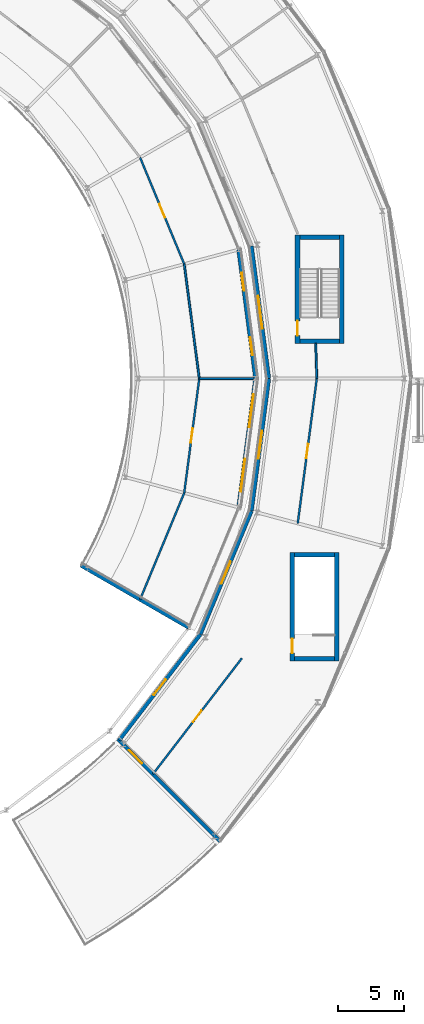
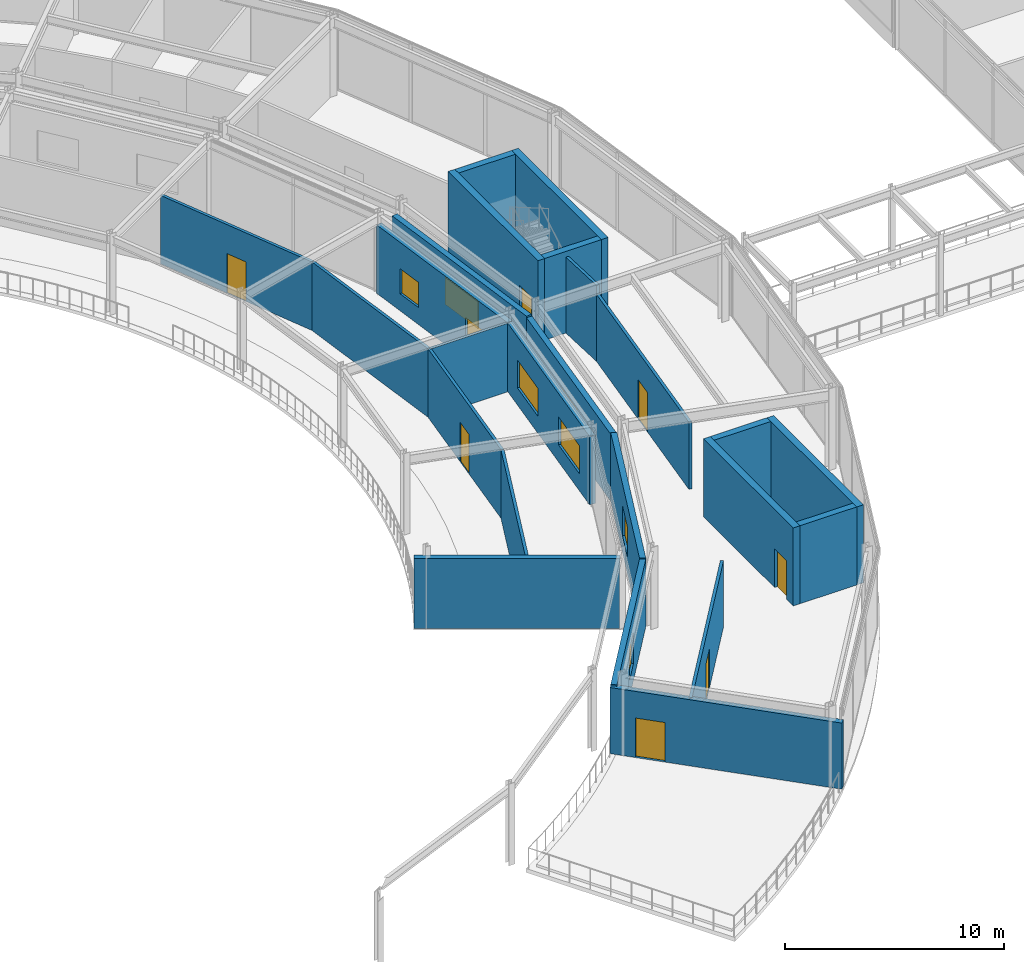
# One storey, part 119 of 157: 24 walls, 8 windows, 7 doors, 15 openings.
"""IFC4 building model written with IfcOpenShell, lengths in metres."""

from ifc_helpers import new_model, si_unit, direction, frame, frame_2d, origin, place, context, subcontext, project, spatial, rectangle, extrude, material, layer, layer_set, type_object, element, fill, save


model = new_model("IFC4")

# Units and contexts
model_context = context("Model", 3, precision=1e-05, world=origin(), true_north=direction((0.0, 1.0)))
body_context = subcontext(model_context, "Body", "Model", "MODEL_VIEW")
ifc_project = project(units=[si_unit("LENGTHUNIT", "METRE"), si_unit("AREAUNIT", "SQUARE_METRE"), si_unit("VOLUMEUNIT", "CUBIC_METRE"), si_unit("PLANEANGLEUNIT", "RADIAN"), si_unit("MASSUNIT", "GRAM", prefix="KILO")], contexts=[model_context])

# Site, building, storey
site_placement = place(None, origin())
site = spatial("IfcSite", under=ifc_project, at=site_placement, CompositionType="ELEMENT")
building_placement = place(site_placement, origin())
building = spatial("IfcBuilding", under=site, at=building_placement, Name="Almandine Court Research Institute", CompositionType="ELEMENT")
storey_placement = place(building_placement, frame((0.0, 0.0, 5.25)))
storey = spatial("IfcBuildingStorey", under=building, at=storey_placement, Name="L01", CompositionType="ELEMENT", Elevation=5.25)

# Wall, opening, window
ifc_material_1 = material(Name="Insulated Ochre Terracotta Rainscreen Wall", Category="masonry")
ifc_layer_1 = layer(ifc_material_1, 0.2900390625)
ifc_layer_set_1 = layer_set([ifc_layer_1], Name="Insulated Ochre Terracotta Rainscreen Wall")
wall_type_1 = type_object("IfcWallType", Name="Wall-EXT-TERR-290", PredefinedType="SOLIDWALL", material=ifc_layer_set_1)
wall_1_placement = place(storey_placement, frame((114.341064453125, 28.66796875, 0.0), z_axis=(0.0, 0.0, 1.0), x_axis=(0.608737604027, 0.793371621275, 0.0)))
wall_1 = element("IfcWall", 1, at=wall_1_placement, inside=storey, type_object=wall_type_1, Name="L01 Drum Inner Gallery Wall 21", PredefinedType="SOLIDWALL", context=body_context, shape_type="SweptSolid", body=[
    extrude(rectangle(XDim=10.079833984375, YDim=0.2900390625, at=frame_2d((5.0400390625, 0.0))), origin(), (0.0, 0.0, 1.0), 3.76806640625),
])
opening_1_placement = place(wall_1_placement, frame((4.294921875, 0.0, 0.949951171875)))
opening_1 = element("IfcOpeningElement", 2, at=opening_1_placement, cuts=wall_1, Name="Opening WN-26", PredefinedType="OPENING", context=body_context, shape_type="SweptSolid", body=[
    extrude(rectangle(XDim=1.489990234375, YDim=1.75, at=frame_2d((0.7451171875, 0.875))), frame((0.0, 0.155029296875, 0.0), z_axis=(0.0, -1.0, 0.0), x_axis=(1.0, 0.0, 0.0)), (0.0, 0.0, 1.0), 0.31005859375),
])
ifc_material_2 = material(Name="Thermally Broken Low-E Double-Glazed Window", Category="glass")
window_type_1 = type_object("IfcWindowType", Name="Win-WN-26-1490x1750", PartitioningType="SINGLE_PANEL", PredefinedType="WINDOW", material=ifc_material_2)
window_1_placement = place(opening_1_placement, origin())
window_1 = element("IfcWindow", 3, at=window_1_placement, inside=storey, type_object=window_type_1, Name="L01 Modular Recessed Low-E Window 239", OverallHeight=1.75, OverallWidth=1.489990234375, PartitioningType="SINGLE_PANEL", PredefinedType="WINDOW", context=body_context, shape_type="SweptSolid", body=[
    extrude(rectangle(XDim=1.489990234375, YDim=1.75, at=frame_2d((0.7451171875, 0.875))), frame((0.0, 0.030029296875, 0.0), z_axis=(0.0, -1.0, 0.0), x_axis=(1.0, 0.0, 0.0)), (0.0, 0.0, 1.0), 0.06005859375),
])
fill(opening_1, window_1)

wall_2_placement = place(storey_placement, frame((120.48291015625, 36.675048828125, 0.0), z_axis=(0.0, 0.0, 1.0), x_axis=(0.382733240508, 0.92385889973, 0.0)))
wall_2 = element("IfcWall", 4, at=wall_2_placement, inside=storey, type_object=wall_type_1, Name="L01 Drum Inner Gallery Wall 22", PredefinedType="SOLIDWALL", context=body_context, shape_type="SweptSolid", body=[
    extrude(rectangle(XDim=10.08056640625, YDim=0.2900390625, at=frame_2d((5.040283203125, 0.0))), origin(), (0.0, 0.0, 1.0), 3.81494140625),
])
opening_2_placement = place(wall_2_placement, frame((4.1298828125, 0.0, 0.949951171875)))
opening_2 = element("IfcOpeningElement", 5, at=opening_2_placement, cuts=wall_2, Name="Opening WN-111", PredefinedType="OPENING", context=body_context, shape_type="SweptSolid", body=[
    extrude(rectangle(XDim=1.820068359375, YDim=1.669921875, at=frame_2d((0.91015625, 0.8349609375))), frame((0.0, 0.155029296875, 0.0), z_axis=(0.0, -1.0, 0.0), x_axis=(1.0, 0.0, 0.0)), (0.0, 0.0, 1.0), 0.31005859375),
])
window_type_2 = type_object("IfcWindowType", Name="Win-WN-111-1820x1670", PartitioningType="SINGLE_PANEL", PredefinedType="WINDOW", material=ifc_material_2)
window_2_placement = place(opening_2_placement, origin())
window_2 = element("IfcWindow", 6, at=window_2_placement, inside=storey, type_object=window_type_2, Name="L01 Modular Recessed Low-E Window 240", OverallHeight=1.669921875, OverallWidth=1.820068359375, PartitioningType="SINGLE_PANEL", PredefinedType="WINDOW", context=body_context, shape_type="SweptSolid", body=[
    extrude(rectangle(XDim=1.820068359375, YDim=1.669921875, at=frame_2d((0.91015625, 0.8349609375))), frame((0.0, 0.030029296875, 0.0), z_axis=(0.0, -1.0, 0.0), x_axis=(1.0, 0.0, 0.0)), (0.0, 0.0, 1.0), 0.06005859375),
])
fill(opening_2, window_2)

wall_3_placement = place(storey_placement, frame((124.343994140625, 46.0, 0.0), z_axis=(0.0, 0.0, 1.0), x_axis=(0.130450126879, 0.991454872597, 0.0)))
wall_3 = element("IfcWall", 7, at=wall_3_placement, inside=storey, type_object=wall_type_1, Name="L01 Drum Inner Gallery Wall 23", PredefinedType="SOLIDWALL", context=body_context, shape_type="SweptSolid", body=[
    extrude(rectangle(XDim=10.080078125, YDim=0.2900390625, at=frame_2d((5.0400390625, 0.0))), origin(), (0.0, 0.0, 1.0), 3.73193359375),
])
opening_3_placement = place(wall_3_placement, frame((3.965087890625, 0.0, 0.949951171875)))
opening_3 = element("IfcOpeningElement", 8, at=opening_3_placement, cuts=wall_3, Name="Opening WN-27", PredefinedType="OPENING", context=body_context, shape_type="SweptSolid", body=[
    extrude(rectangle(XDim=2.14990234375, YDim=1.590087890625, at=frame_2d((1.074951171875, 0.794921875))), frame((0.0, 0.155029296875, 0.0), z_axis=(0.0, -1.0, 0.0), x_axis=(1.0, 0.0, 0.0)), (0.0, 0.0, 1.0), 0.31005859375),
])
window_type_3 = type_object("IfcWindowType", Name="Win-WN-27-2150x1590", PartitioningType="SINGLE_PANEL", PredefinedType="WINDOW", material=ifc_material_2)
window_3_placement = place(opening_3_placement, origin())
window_3 = element("IfcWindow", 9, at=window_3_placement, inside=storey, type_object=window_type_3, Name="L01 Modular Recessed Low-E Window 241", OverallHeight=1.590087890625, OverallWidth=2.14990234375, PartitioningType="SINGLE_PANEL", PredefinedType="WINDOW", context=body_context, shape_type="SweptSolid", body=[
    extrude(rectangle(XDim=2.14990234375, YDim=1.590087890625, at=frame_2d((1.074951171875, 0.794921875))), frame((0.0, 0.030029296875, 0.0), z_axis=(0.0, -1.0, 0.0), x_axis=(1.0, 0.0, 0.0)), (0.0, 0.0, 1.0), 0.06005859375),
])
fill(opening_3, window_3)

wall_4_placement = place(storey_placement, frame((125.658935546875, 56.006103515625, 0.0), z_axis=(0.0, 0.0, 1.0), x_axis=(-0.130450126879, 0.991454872597, 0.0)))
wall_4 = element("IfcWall", 10, at=wall_4_placement, inside=storey, type_object=wall_type_1, Name="L01 Drum Inner Gallery Wall 00", PredefinedType="SOLIDWALL", context=body_context, shape_type="SweptSolid", body=[
    extrude(rectangle(XDim=10.080078125, YDim=0.2900390625, at=frame_2d((5.0400390625, 0.0))), origin(), (0.0, 0.0, 1.0), 3.81005859375),
])
opening_4_placement = place(wall_4_placement, frame((3.800048828125, 0.0, 0.949951171875)))
opening_4 = element("IfcOpeningElement", 11, at=opening_4_placement, cuts=wall_4, Name="Opening WN-112", PredefinedType="OPENING", context=body_context, shape_type="SweptSolid", body=[
    extrude(rectangle(XDim=2.47998046875, YDim=1.510009765625, at=frame_2d((1.239990234375, 0.7548828125))), frame((0.0, 0.155029296875, 0.0), z_axis=(0.0, -1.0, 0.0), x_axis=(1.0, 0.0, 0.0)), (0.0, 0.0, 1.0), 0.31005859375),
])
window_type_4 = type_object("IfcWindowType", Name="Win-WN-112-2480x1510", PartitioningType="SINGLE_PANEL", PredefinedType="WINDOW", material=ifc_material_2)
window_4_placement = place(opening_4_placement, origin())
window_4 = element("IfcWindow", 12, at=window_4_placement, inside=storey, type_object=window_type_4, Name="L01 Modular Recessed Low-E Window 242", OverallHeight=1.510009765625, OverallWidth=2.47998046875, PartitioningType="SINGLE_PANEL", PredefinedType="WINDOW", context=body_context, shape_type="SweptSolid", body=[
    extrude(rectangle(XDim=2.47998046875, YDim=1.510009765625, at=frame_2d((1.239990234375, 0.7548828125))), frame((0.0, 0.030029296875, 0.0), z_axis=(0.0, -1.0, 0.0), x_axis=(1.0, 0.0, 0.0)), (0.0, 0.0, 1.0), 0.06005859375),
])
fill(opening_4, window_4)

# Wall, opening, door
wall_5_placement = place(storey_placement, frame((114.240966796875, 28.759033203125, 0.0), z_axis=(0.0, 0.0, 1.0), x_axis=(0.707106781187, -0.707106781187, 0.0)))
wall_5 = element("IfcWall", 13, at=wall_5_placement, inside=storey, type_object=wall_type_1, Name="L01 Drum Radial End Wall START", PredefinedType="SOLIDWALL", context=body_context, shape_type="SweptSolid", body=[
    extrude(rectangle(XDim=10.951904296875, YDim=0.2900390625, at=frame_2d((5.47607421875, 0.0))), origin(), (0.0, 0.0, 1.0), 3.68505859375),
])
opening_5_placement = place(wall_5_placement, frame((1.199951171875, 0.0, 0.0)))
opening_5 = element("IfcOpeningElement", 14, at=opening_5_placement, cuts=wall_5, Name="Opening TD-01", PredefinedType="OPENING", context=body_context, shape_type="SweptSolid", body=[
    extrude(rectangle(XDim=1.39990234375, YDim=2.199951171875, at=frame_2d((0.699951171875, 1.10009765625))), frame((0.0, 0.155029296875, 0.0), z_axis=(0.0, -1.0, 0.0), x_axis=(1.0, 0.0, 0.0)), (0.0, 0.0, 1.0), 0.31005859375),
])
ifc_material_3 = material(Name="Thermally Broken Glazed Terrace Door")
door_type_1 = type_object("IfcDoorType", Name="Door-TER-1400", OperationType="DOUBLE_DOOR_SINGLE_SWING", PredefinedType="DOOR", material=ifc_material_3)
door_1_placement = place(opening_5_placement, origin())
door_1 = element("IfcDoor", 15, at=door_1_placement, inside=storey, type_object=door_type_1, Name="L01 Drum START Stepped Ring Terrace Door", OperationType="DOUBLE_DOOR_SINGLE_SWING", OverallHeight=2.199951171875, OverallWidth=1.39990234375, PredefinedType="DOOR", context=body_context, shape_type="SweptSolid", body=[
    extrude(rectangle(XDim=1.39990234375, YDim=2.199951171875, at=frame_2d((0.699951171875, 1.10009765625))), frame((0.0, 0.02490234375, 0.0), z_axis=(0.0, -1.0, 0.0), x_axis=(1.0, 0.0, 0.0)), (0.0, 0.0, 1.0), 0.050048828125),
])
fill(opening_5, door_1)

# Wall, openings, windows
wall_6_placement = place(storey_placement, frame((124.64892578125, 55.99609375, 0.0), z_axis=(0.0, 0.0, 1.0), x_axis=(-0.130435863969, -0.991456749128, 0.0)))
wall_6 = element("IfcWall", 16, at=wall_6_placement, inside=storey, type_object=wall_type_1, Name="L01 Interaction Atrium Perimeter Wall 23", PredefinedType="SOLIDWALL", context=body_context, shape_type="SweptSolid", body=[
    extrude(rectangle(XDim=9.821044921875, YDim=0.2900390625, at=frame_2d((4.91064453125, 0.0))), origin(), (0.0, 0.0, 1.0), 3.81005859375),
])
opening_6_placement = place(wall_6_placement, frame((1.215087890625, 0.0, 0.949951171875)))
opening_6 = element("IfcOpeningElement", 17, at=opening_6_placement, cuts=wall_6, Name="Opening WN-70", PredefinedType="OPENING", context=body_context, shape_type="SweptSolid", body=[
    extrude(rectangle(XDim=2.47998046875, YDim=1.56005859375, at=frame_2d((1.239990234375, 0.780029296875))), frame((0.0, 0.155029296875, 0.0), z_axis=(0.0, -1.0, 0.0), x_axis=(1.0, 0.0, 0.0)), (0.0, 0.0, 1.0), 0.31005859375),
])
opening_7_placement = place(wall_6_placement, frame((6.1259765625, 0.0, 0.949951171875)))
opening_7 = element("IfcOpeningElement", 18, at=opening_7_placement, cuts=wall_6, Name="Opening WN-70", PredefinedType="OPENING", context=body_context, shape_type="SweptSolid", body=[
    extrude(rectangle(XDim=2.47998046875, YDim=1.56005859375, at=frame_2d((1.239990234375, 0.780029296875))), frame((0.0, 0.155029296875, 0.0), z_axis=(0.0, -1.0, 0.0), x_axis=(1.0, 0.0, 0.0)), (0.0, 0.0, 1.0), 0.31005859375),
])
window_type_5 = type_object("IfcWindowType", Name="Win-WN-70-2480x1560", PartitioningType="SINGLE_PANEL", PredefinedType="WINDOW", material=ifc_material_2)
window_5_placement = place(opening_6_placement, origin())
window_5 = element("IfcWindow", 19, at=window_5_placement, inside=storey, type_object=window_type_5, Name="L01 Modular Recessed Low-E Window 338", OverallHeight=1.56005859375, OverallWidth=2.47998046875, PartitioningType="SINGLE_PANEL", PredefinedType="WINDOW", context=body_context, shape_type="SweptSolid", body=[
    extrude(rectangle(XDim=2.47998046875, YDim=1.56005859375, at=frame_2d((1.239990234375, 0.780029296875))), frame((0.0, 0.030029296875, 0.0), z_axis=(0.0, -1.0, 0.0), x_axis=(1.0, 0.0, 0.0)), (0.0, 0.0, 1.0), 0.06005859375),
])
fill(opening_6, window_5)
window_6_placement = place(opening_7_placement, origin())
window_6 = element("IfcWindow", 20, at=window_6_placement, inside=storey, type_object=window_type_5, Name="L01 Modular Recessed Low-E Window 339", OverallHeight=1.56005859375, OverallWidth=2.47998046875, PartitioningType="SINGLE_PANEL", PredefinedType="WINDOW", context=body_context, shape_type="SweptSolid", body=[
    extrude(rectangle(XDim=2.47998046875, YDim=1.56005859375, at=frame_2d((1.239990234375, 0.780029296875))), frame((0.0, 0.030029296875, 0.0), z_axis=(0.0, -1.0, 0.0), x_axis=(1.0, 0.0, 0.0)), (0.0, 0.0, 1.0), 0.06005859375),
])
fill(opening_7, window_6)

wall_7_placement = place(storey_placement, frame((123.367919921875, 65.740966796875, 0.0), z_axis=(0.0, 0.0, 1.0), x_axis=(0.130435863969, -0.991456749128, 0.0)))
wall_7 = element("IfcWall", 21, at=wall_7_placement, inside=storey, type_object=wall_type_1, Name="L01 Interaction Atrium Perimeter Wall 00", PredefinedType="SOLIDWALL", context=body_context, shape_type="SweptSolid", body=[
    extrude(rectangle(XDim=9.821044921875, YDim=0.2900390625, at=frame_2d((4.91064453125, 0.0))), origin(), (0.0, 0.0, 1.0), 3.81005859375),
])
opening_8_placement = place(wall_7_placement, frame((1.764892578125, 0.0, 0.949951171875)))
opening_8 = element("IfcOpeningElement", 22, at=opening_8_placement, cuts=wall_7, Name="Opening WN-71", PredefinedType="OPENING", context=body_context, shape_type="SweptSolid", body=[
    extrude(rectangle(XDim=1.3798828125, YDim=1.39990234375, at=frame_2d((0.68994140625, 0.699951171875))), frame((0.0, 0.155029296875, 0.0), z_axis=(0.0, -1.0, 0.0), x_axis=(1.0, 0.0, 0.0)), (0.0, 0.0, 1.0), 0.31005859375),
])
opening_9_placement = place(wall_7_placement, frame((6.676025390625, 0.0, 0.949951171875)))
opening_9 = element("IfcOpeningElement", 23, at=opening_9_placement, cuts=wall_7, Name="Opening WN-71", PredefinedType="OPENING", context=body_context, shape_type="SweptSolid", body=[
    extrude(rectangle(XDim=1.3798828125, YDim=1.39990234375, at=frame_2d((0.68994140625, 0.699951171875))), frame((0.0, 0.155029296875, 0.0), z_axis=(0.0, -1.0, 0.0), x_axis=(1.0, 0.0, 0.0)), (0.0, 0.0, 1.0), 0.31005859375),
])
window_type_6 = type_object("IfcWindowType", Name="Win-WN-71-1380x1400", PartitioningType="SINGLE_PANEL", PredefinedType="WINDOW", material=ifc_material_2)
window_7_placement = place(opening_8_placement, origin())
window_7 = element("IfcWindow", 24, at=window_7_placement, inside=storey, type_object=window_type_6, Name="L01 Modular Recessed Low-E Window 340", OverallHeight=1.39990234375, OverallWidth=1.3798828125, PartitioningType="SINGLE_PANEL", PredefinedType="WINDOW", context=body_context, shape_type="SweptSolid", body=[
    extrude(rectangle(XDim=1.3798828125, YDim=1.39990234375, at=frame_2d((0.68994140625, 0.699951171875))), frame((0.0, 0.030029296875, 0.0), z_axis=(0.0, -1.0, 0.0), x_axis=(1.0, 0.0, 0.0)), (0.0, 0.0, 1.0), 0.06005859375),
])
fill(opening_8, window_7)
window_8_placement = place(opening_9_placement, origin())
window_8 = element("IfcWindow", 25, at=window_8_placement, inside=storey, type_object=window_type_6, Name="L01 Modular Recessed Low-E Window 341", OverallHeight=1.39990234375, OverallWidth=1.3798828125, PartitioningType="SINGLE_PANEL", PredefinedType="WINDOW", context=body_context, shape_type="SweptSolid", body=[
    extrude(rectangle(XDim=1.3798828125, YDim=1.39990234375, at=frame_2d((0.68994140625, 0.699951171875))), frame((0.0, 0.030029296875, 0.0), z_axis=(0.0, -1.0, 0.0), x_axis=(1.0, 0.0, 0.0)), (0.0, 0.0, 1.0), 0.06005859375),
])
fill(opening_9, window_8)

# Wall
wall_8_placement = place(storey_placement, frame((111.443115234375, 41.887939453125, 0.0), z_axis=(0.0, 0.0, 1.0), x_axis=(0.866014767649, -0.500018421874, 0.0)))
element("IfcWall", 26, at=wall_8_placement, inside=storey, type_object=wall_type_1, Name="L01 Atrium Gallery End Wall START", PredefinedType="SOLIDWALL", context=body_context, shape_type="SweptSolid", body=[
    extrude(rectangle(XDim=9.401611328125, YDim=0.2900390625, at=frame_2d((4.70068359375, 0.0))), origin(), (0.0, 0.0, 1.0), 3.89306640625),
])

# Wall, opening, door
ifc_material_4 = material(Name="Acoustic Steel-Stud Gypsum Partition Wall", Category="steel")
ifc_layer_2 = layer(ifc_material_4, 0.14990234375)
ifc_layer_set_2 = layer_set([ifc_layer_2], Name="Acoustic Steel-Stud Gypsum Partition Wall")
wall_type_2 = type_object("IfcWallType", Name="Wall-PART-150", PredefinedType="PARTITIONING", material=ifc_layer_set_2)
wall_9_placement = place(storey_placement, frame((116.89599609375, 26.10400390625, 0.0), z_axis=(0.0, 0.0, 1.0), x_axis=(0.608828497024, 0.793301872689, 0.0)))
wall_9 = element("IfcWall", 27, at=wall_9_placement, inside=storey, type_object=wall_type_2, Name="L01 Interior Partition W-V5-L01-CHD-21", PredefinedType="PARTITIONING", context=body_context, shape_type="SweptSolid", body=[
    extrude(rectangle(XDim=11.03759765625, YDim=0.14990234375, at=frame_2d((5.518798828125, 0.0))), origin(), (0.0, 0.0, 1.0), 3.68994140625),
])
opening_10_placement = place(wall_9_placement, frame((4.949951171875, 0.0, 0.0)))
opening_10 = element("IfcOpeningElement", 28, at=opening_10_placement, cuts=wall_9, Name="Opening D-03", PredefinedType="OPENING", context=body_context, shape_type="SweptSolid", body=[
    extrude(rectangle(XDim=1.10009765625, YDim=2.199951171875, at=frame_2d((0.550048828125, 1.10009765625))), frame((0.0, 0.0849609375, 0.0), z_axis=(0.0, -1.0, 0.0), x_axis=(1.0, 0.0, 0.0)), (0.0, 0.0, 1.0), 0.169921875),
])
ifc_material_5 = material(Name="Acoustic Vision-Panel Seminar Door")
door_type_2 = type_object("IfcDoorType", Name="Door-INT-1100", OperationType="NOTDEFINED", PredefinedType="DOOR", material=ifc_material_5)
door_2_placement = place(opening_10_placement, origin())
door_2 = element("IfcDoor", 29, at=door_2_placement, inside=storey, type_object=door_type_2, Name="L01 Drum Calibration Suite Door", OperationType="SINGLE_SWING_LEFT", OverallHeight=2.199951171875, OverallWidth=1.10009765625, PredefinedType="DOOR", context=body_context, shape_type="SweptSolid", body=[
    extrude(rectangle(XDim=1.10009765625, YDim=2.199951171875, at=frame_2d((0.550048828125, 1.10009765625))), frame((0.0, 0.02490234375, 0.0), z_axis=(0.0, -1.0, 0.0), x_axis=(1.0, 0.0, 0.0)), (0.0, 0.0, 1.0), 0.050048828125),
])
fill(opening_10, door_2)

wall_10_placement = place(storey_placement, frame((127.839111328125, 45.056884765625, 0.0), z_axis=(0.0, 0.0, 1.0), x_axis=(0.130546632054, 0.991442170204, 0.0)))
wall_10 = element("IfcWall", 30, at=wall_10_placement, inside=storey, type_object=wall_type_2, Name="L01 Interior Partition W-V5-L01-CHD-23", PredefinedType="PARTITIONING", context=body_context, shape_type="SweptSolid", body=[
    extrude(rectangle(XDim=11.03759765625, YDim=0.14990234375, at=frame_2d((5.518798828125, 0.0))), origin(), (0.0, 0.0, 1.0), 3.737060546875),
])
opening_11_placement = place(wall_10_placement, frame((4.949951171875, 0.0, 0.0)))
opening_11 = element("IfcOpeningElement", 31, at=opening_11_placement, cuts=wall_10, Name="Opening D-03", PredefinedType="OPENING", context=body_context, shape_type="SweptSolid", body=[
    extrude(rectangle(XDim=1.10009765625, YDim=2.199951171875, at=frame_2d((0.550048828125, 1.10009765625))), frame((0.0, 0.0849609375, 0.0), z_axis=(0.0, -1.0, 0.0), x_axis=(1.0, 0.0, 0.0)), (0.0, 0.0, 1.0), 0.169921875),
])
door_3_placement = place(opening_11_placement, origin())
door_3 = element("IfcDoor", 32, at=door_3_placement, inside=storey, type_object=door_type_2, Name="L01 Drum Write-up Office Door", OperationType="SINGLE_SWING_RIGHT", OverallHeight=2.199951171875, OverallWidth=1.10009765625, PredefinedType="DOOR", context=body_context, shape_type="SweptSolid", body=[
    extrude(rectangle(XDim=1.10009765625, YDim=2.199951171875, at=frame_2d((0.550048828125, 1.10009765625))), frame((0.0, 0.02490234375, 0.0), z_axis=(0.0, -1.0, 0.0), x_axis=(1.0, 0.0, 0.0)), (0.0, 0.0, 1.0), 0.050048828125),
])
fill(opening_11, door_3)

# Walls
wall_11_placement = place(storey_placement, frame((129.280029296875, 56.0, 0.0), z_axis=(0.0, 0.0, 1.0), x_axis=(-0.031249099163, 0.999511627647, 0.0)))
element("IfcWall", 33, at=wall_11_placement, inside=storey, type_object=wall_type_2, Name="L01 Interior Partition W-V5-L01-CHD-00", PredefinedType="PARTITIONING", context=body_context, shape_type="SweptSolid", body=[
    extrude(rectangle(XDim=2.65625, YDim=0.14990234375, at=frame_2d((1.328125, 0.0))), origin(), (0.0, 0.0, 1.0), 4.22998046875),
])
wall_12_placement = place(storey_placement, frame((120.39990234375, 56.0, 0.0), z_axis=(0.0, 0.0, 1.0), x_axis=(-0.130503763364, 0.991447813931, 0.0)))
element("IfcWall", 34, at=wall_12_placement, inside=storey, type_object=wall_type_2, Name="L01 Interior Partition W-V2-L01-CHD-00", PredefinedType="PARTITIONING", context=body_context, shape_type="SweptSolid", body=[
    extrude(rectangle(XDim=8.719482421875, YDim=0.14990234375, at=frame_2d((4.35986328125, 0.0))), origin(), (0.0, 0.0, 1.0), 3.81494140625),
])

# Wall, opening, door
wall_13_placement = place(storey_placement, frame((119.261962890625, 64.64501953125, 0.0), z_axis=(0.0, 0.0, 1.0), x_axis=(-0.382727695016, 0.923861197079, 0.0)))
wall_13 = element("IfcWall", 35, at=wall_13_placement, inside=storey, type_object=wall_type_2, Name="L01 Interior Partition W-V2-L01-CHD-01", PredefinedType="PARTITIONING", context=body_context, shape_type="SweptSolid", body=[
    extrude(rectangle(XDim=8.71875, YDim=0.14990234375, at=frame_2d((4.359375, 0.0))), origin(), (0.0, 0.0, 1.0), 3.81494140625),
])
opening_12_placement = place(wall_13_placement, frame((3.81005859375, 0.0, 0.0)))
opening_12 = element("IfcOpeningElement", 36, at=opening_12_placement, cuts=wall_13, Name="Opening D-03", PredefinedType="OPENING", context=body_context, shape_type="SweptSolid", body=[
    extrude(rectangle(XDim=1.10009765625, YDim=2.199951171875, at=frame_2d((0.550048828125, 1.10009765625))), frame((0.0, 0.0849609375, 0.0), z_axis=(0.0, -1.0, 0.0), x_axis=(1.0, 0.0, 0.0)), (0.0, 0.0, 1.0), 0.169921875),
])
door_4_placement = place(opening_12_placement, origin())
door_4 = element("IfcDoor", 37, at=door_4_placement, inside=storey, type_object=door_type_2, Name="L01 Atrium Poster Exhibition Gallery Door", OperationType="SINGLE_SWING_RIGHT", OverallHeight=2.199951171875, OverallWidth=1.10009765625, PredefinedType="DOOR", context=body_context, shape_type="SweptSolid", body=[
    extrude(rectangle(XDim=1.10009765625, YDim=2.199951171875, at=frame_2d((0.550048828125, 1.10009765625))), frame((0.0, 0.02490234375, 0.0), z_axis=(0.0, -1.0, 0.0), x_axis=(1.0, 0.0, 0.0)), (0.0, 0.0, 1.0), 0.050048828125),
])
fill(opening_12, door_4)

# Wall
wall_14_placement = place(storey_placement, frame((115.925048828125, 39.300048828125, 0.0), z_axis=(0.0, 0.0, 1.0), x_axis=(0.382727695016, 0.923861197079, 0.0)))
element("IfcWall", 38, at=wall_14_placement, inside=storey, type_object=wall_type_2, Name="L01 Interior Partition W-V2-L01-CHD-22", PredefinedType="PARTITIONING", context=body_context, shape_type="SweptSolid", body=[
    extrude(rectangle(XDim=8.71875, YDim=0.14990234375, at=frame_2d((4.359375, 0.0))), origin(), (0.0, 0.0, 1.0), 3.81494140625),
])

# Wall, opening, door
wall_15_placement = place(storey_placement, frame((119.261962890625, 47.35498046875, 0.0), z_axis=(0.0, 0.0, 1.0), x_axis=(0.130503763364, 0.991447813931, 0.0)))
wall_15 = element("IfcWall", 39, at=wall_15_placement, inside=storey, type_object=wall_type_2, Name="L01 Interior Partition W-V2-L01-CHD-23", PredefinedType="PARTITIONING", context=body_context, shape_type="SweptSolid", body=[
    extrude(rectangle(XDim=8.719482421875, YDim=0.14990234375, at=frame_2d((4.35986328125, 0.0))), origin(), (0.0, 0.0, 1.0), 3.81494140625),
])
opening_13_placement = place(wall_15_placement, frame((3.81005859375, 0.0, 0.0)))
opening_13 = element("IfcOpeningElement", 40, at=opening_13_placement, cuts=wall_15, Name="Opening D-03", PredefinedType="OPENING", context=body_context, shape_type="SweptSolid", body=[
    extrude(rectangle(XDim=1.10009765625, YDim=2.199951171875, at=frame_2d((0.550048828125, 1.10009765625))), frame((0.0, 0.0849609375, 0.0), z_axis=(0.0, -1.0, 0.0), x_axis=(1.0, 0.0, 0.0)), (0.0, 0.0, 1.0), 0.169921875),
])
door_5_placement = place(opening_13_placement, origin())
door_5 = element("IfcDoor", 41, at=door_5_placement, inside=storey, type_object=door_type_2, Name="L01 Atrium Academic Lounge Door", OperationType="SINGLE_SWING_LEFT", OverallHeight=2.199951171875, OverallWidth=1.10009765625, PredefinedType="DOOR", context=body_context, shape_type="SweptSolid", body=[
    extrude(rectangle(XDim=1.10009765625, YDim=2.199951171875, at=frame_2d((0.550048828125, 1.10009765625))), frame((0.0, 0.02490234375, 0.0), z_axis=(0.0, -1.0, 0.0), x_axis=(1.0, 0.0, 0.0)), (0.0, 0.0, 1.0), 0.050048828125),
])
fill(opening_13, door_5)

# Wall
wall_16_placement = place(storey_placement, frame((120.39990234375, 56.0, 0.0), z_axis=(0.0, 0.0, 1.0), x_axis=(1.0, 0.0, 0.0)))
element("IfcWall", 42, at=wall_16_placement, inside=storey, type_object=wall_type_2, Name="L01 Interior Partition W-V2-L01-RAD-00", PredefinedType="PARTITIONING", context=body_context, shape_type="SweptSolid", body=[
    extrude(rectangle(XDim=4.080078125, YDim=0.14990234375, at=frame_2d((2.0400390625, 0.0))), origin(), (0.0, 0.0, 1.0), 3.81494140625),
])

# Wall, opening, door
ifc_material_6 = material(Name="Concrete C40/50", Category="concrete")
ifc_layer_3 = layer(ifc_material_6, 0.35009765625)
ifc_layer_set_3 = layer_set([ifc_layer_3], Name="Concrete C40/50")
wall_type_3 = type_object("IfcWallType", Name="Wall-SW-CORE-350", PredefinedType="SHEAR", material=ifc_layer_set_3)
wall_17_placement = place(storey_placement, frame((127.824951171875, 58.64990234375, 0.0), z_axis=(0.0, 0.0, 1.0), x_axis=(0.0, 1.0, 0.0)))
wall_17 = element("IfcWall", 43, at=wall_17_placement, inside=storey, type_object=wall_type_3, Name="L01 ST-14 W Shear Wall", PredefinedType="SHEAR", context=body_context, shape_type="SweptSolid", body=[
    extrude(rectangle(XDim=8.2001953125, YDim=0.35009765625, at=frame_2d((4.10009765625, 0.0))), origin(), (0.0, 0.0, 1.0), 4.550048828125),
])
opening_14_placement = place(wall_17_placement, frame((0.60009765625, 0.0, 0.0)))
opening_14 = element("IfcOpeningElement", 44, at=opening_14_placement, cuts=wall_17, Name="Opening FD-STAIR", PredefinedType="OPENING", context=body_context, shape_type="SweptSolid", body=[
    extrude(rectangle(XDim=1.10009765625, YDim=2.14990234375, at=frame_2d((0.550048828125, 1.074951171875))), frame((0.0, 0.18505859375, 0.0), z_axis=(0.0, -1.0, 0.0), x_axis=(1.0, 0.0, 0.0)), (0.0, 0.0, 1.0), 0.3701171875),
])
ifc_material_7 = material(Name="Self-Closing Steel Exit Stair Fire Door", Category="steel")
door_type_3 = type_object("IfcDoorType", Name="Door-FD-STAIR-1100", OperationType="NOTDEFINED", PredefinedType="DOOR", material=ifc_material_7)
door_6_placement = place(opening_14_placement, origin())
door_6 = element("IfcDoor", 45, at=door_6_placement, inside=storey, type_object=door_type_3, Name="L01 Exit Stair ST-14 Fire Door", OperationType="SINGLE_SWING_LEFT", OverallHeight=2.14990234375, OverallWidth=1.10009765625, PredefinedType="DOOR", context=body_context, shape_type="SweptSolid", body=[
    extrude(rectangle(XDim=1.10009765625, YDim=2.14990234375, at=frame_2d((0.550048828125, 1.074951171875))), frame((0.0, 0.02490234375, 0.0), z_axis=(0.0, -1.0, 0.0), x_axis=(1.0, 0.0, 0.0)), (0.0, 0.0, 1.0), 0.050048828125),
])
fill(opening_14, door_6)

# Walls
wall_18_placement = place(storey_placement, frame((128.0, 66.675048828125, 0.0), z_axis=(0.0, 0.0, 1.0), x_axis=(1.0, 0.0, 0.0)))
element("IfcWall", 46, at=wall_18_placement, inside=storey, type_object=wall_type_3, Name="L01 ST-14 N Shear Wall", PredefinedType="SHEAR", context=body_context, shape_type="SweptSolid", body=[
    extrude(rectangle(XDim=3.0, YDim=0.35009765625, at=frame_2d((1.5, 0.0))), origin(), (0.0, 0.0, 1.0), 4.550048828125),
])
wall_19_placement = place(storey_placement, frame((131.175048828125, 66.85009765625, 0.0), z_axis=(0.0, 0.0, 1.0), x_axis=(0.0, -1.0, 0.0)))
element("IfcWall", 47, at=wall_19_placement, inside=storey, type_object=wall_type_3, Name="L01 ST-14 E Shear Wall", PredefinedType="SHEAR", context=body_context, shape_type="SweptSolid", body=[
    extrude(rectangle(XDim=8.2001953125, YDim=0.35009765625, at=frame_2d((4.10009765625, 0.0))), origin(), (0.0, 0.0, 1.0), 4.550048828125),
])
wall_20_placement = place(storey_placement, frame((131.0, 58.824951171875, 0.0), z_axis=(0.0, 0.0, 1.0), x_axis=(-1.0, 0.0, 0.0)))
element("IfcWall", 48, at=wall_20_placement, inside=storey, type_object=wall_type_3, Name="L01 ST-14 S Shear Wall", PredefinedType="SHEAR", context=body_context, shape_type="SweptSolid", body=[
    extrude(rectangle(XDim=3.0, YDim=0.35009765625, at=frame_2d((1.5, 0.0))), origin(), (0.0, 0.0, 1.0), 4.550048828125),
])

# Wall, opening, door
wall_21_placement = place(storey_placement, frame((127.425048828125, 34.64990234375, 0.0), z_axis=(0.0, 0.0, 1.0), x_axis=(0.0, 1.0, 0.0)))
wall_21 = element("IfcWall", 49, at=wall_21_placement, inside=storey, type_object=wall_type_3, Name="L01 ST-16 W Shear Wall", PredefinedType="SHEAR", context=body_context, shape_type="SweptSolid", body=[
    extrude(rectangle(XDim=8.2001953125, YDim=0.35009765625, at=frame_2d((4.10009765625, 0.0))), origin(), (0.0, 0.0, 1.0), 4.35009765625),
])
opening_15_placement = place(wall_21_placement, frame((0.60009765625, 0.0, 0.0)))
opening_15 = element("IfcOpeningElement", 50, at=opening_15_placement, cuts=wall_21, Name="Opening FD-STAIR", PredefinedType="OPENING", context=body_context, shape_type="SweptSolid", body=[
    extrude(rectangle(XDim=1.10009765625, YDim=2.14990234375, at=frame_2d((0.550048828125, 1.074951171875))), frame((0.0, 0.18505859375, 0.0), z_axis=(0.0, -1.0, 0.0), x_axis=(1.0, 0.0, 0.0)), (0.0, 0.0, 1.0), 0.3701171875),
])
door_7_placement = place(opening_15_placement, origin())
door_7 = element("IfcDoor", 51, at=door_7_placement, inside=storey, type_object=door_type_3, Name="L01 Exit Stair ST-16 Fire Door", OperationType="SINGLE_SWING_LEFT", OverallHeight=2.14990234375, OverallWidth=1.10009765625, PredefinedType="DOOR", context=body_context, shape_type="SweptSolid", body=[
    extrude(rectangle(XDim=1.10009765625, YDim=2.14990234375, at=frame_2d((0.550048828125, 1.074951171875))), frame((0.0, 0.02490234375, 0.0), z_axis=(0.0, -1.0, 0.0), x_axis=(1.0, 0.0, 0.0)), (0.0, 0.0, 1.0), 0.050048828125),
])
fill(opening_15, door_7)

# Walls
wall_22_placement = place(storey_placement, frame((127.60009765625, 42.675048828125, 0.0), z_axis=(0.0, 0.0, 1.0), x_axis=(1.0, 0.0, 0.0)))
element("IfcWall", 52, at=wall_22_placement, inside=storey, type_object=wall_type_3, Name="L01 ST-16 N Shear Wall", PredefinedType="SHEAR", context=body_context, shape_type="SweptSolid", body=[
    extrude(rectangle(XDim=3.0, YDim=0.35009765625, at=frame_2d((1.5, 0.0))), origin(), (0.0, 0.0, 1.0), 4.35009765625),
])
wall_23_placement = place(storey_placement, frame((130.77490234375, 42.85009765625, 0.0), z_axis=(0.0, 0.0, 1.0), x_axis=(0.0, -1.0, 0.0)))
element("IfcWall", 53, at=wall_23_placement, inside=storey, type_object=wall_type_3, Name="L01 ST-16 E Shear Wall", PredefinedType="SHEAR", context=body_context, shape_type="SweptSolid", body=[
    extrude(rectangle(XDim=8.2001953125, YDim=0.35009765625, at=frame_2d((4.10009765625, 0.0))), origin(), (0.0, 0.0, 1.0), 4.35009765625),
])
wall_24_placement = place(storey_placement, frame((130.60009765625, 34.824951171875, 0.0), z_axis=(0.0, 0.0, 1.0), x_axis=(-1.0, 0.0, 0.0)))
element("IfcWall", 54, at=wall_24_placement, inside=storey, type_object=wall_type_3, Name="L01 ST-16 S Shear Wall", PredefinedType="SHEAR", context=body_context, shape_type="SweptSolid", body=[
    extrude(rectangle(XDim=3.0, YDim=0.35009765625, at=frame_2d((1.5, 0.0))), origin(), (0.0, 0.0, 1.0), 4.35009765625),
])

save(model, "model.ifc")
